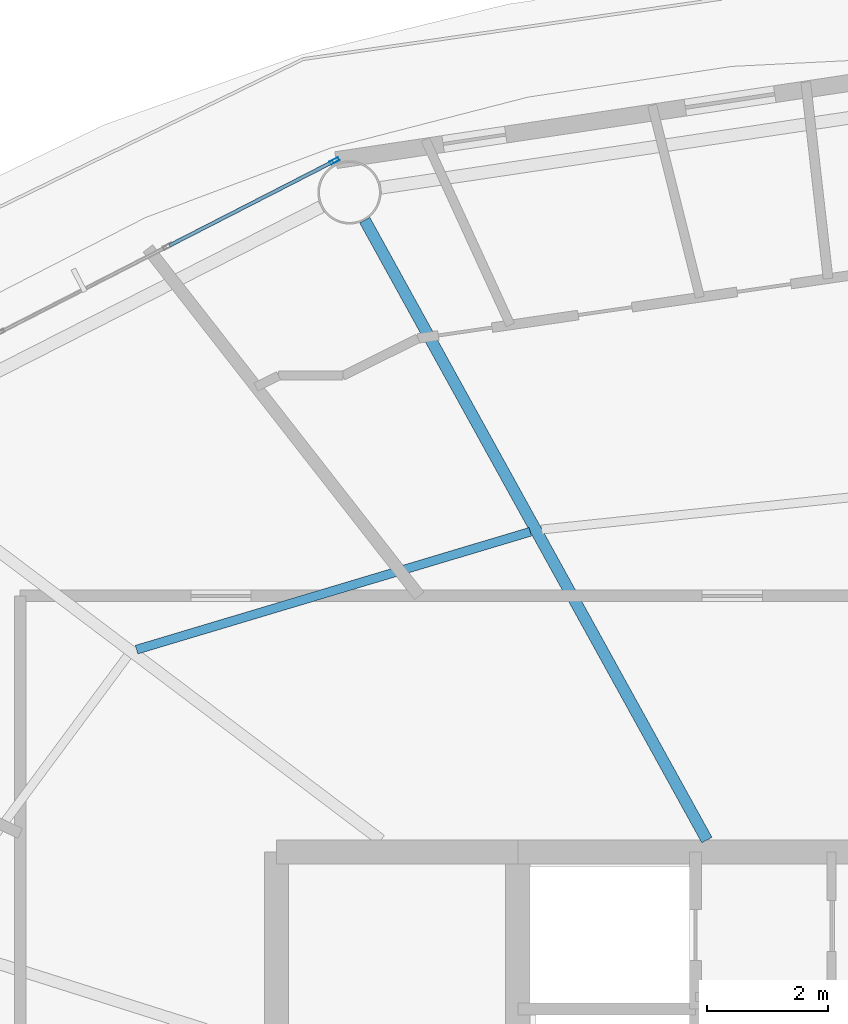
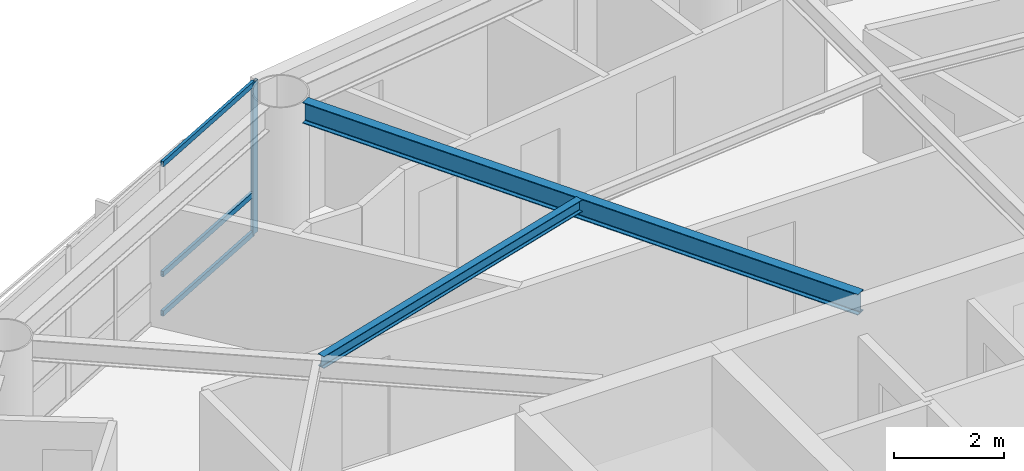
# One storey, part 9 of 23: 4 members, 2 beams, 1 element without a shape of its own.
"""IFC4 building model written with IfcOpenShell, lengths in metres."""

import ifcopenshell
import ifcopenshell.guid

model = None  # the IFC model being written
_history = None  # IfcOwnerHistory: only IFC2X3 demands one
_inside = {}  # id of a spatial element -> (the spatial element, [elements in it])
_under = {}  # id of a project, library or spatial element -> (it, [spatial elements below it])
_declared = {}  # id of a project -> (the project, [libraries it declares])
_typed = {}  # id of a type object -> (the type object, [elements of that type])
_made_of = {}  # id of a material, layer set ... -> (it, [elements and type objects made of it])


def new_model(schema):
    """Start an empty IFC model of exactly this schema.

    Asked for "IFC4X3", IfcOpenShell would pick the latest addendum, in which some entities
    have other attributes; the version numbers below select the first issue.
    IFC2X3 requires an IfcOwnerHistory on every rooted entity: one is made here for all.
    """
    global model, _history
    if schema == "IFC4X3":
        model = ifcopenshell.file(schema_version=(4, 3, 0, 0))
    else:
        model = ifcopenshell.file(schema=schema)
    _inside.clear()
    _under.clear()
    _declared.clear()
    _typed.clear()
    _made_of.clear()
    _history = None
    if model.schema == "IFC2X3":
        org = make("IfcOrganization", Name="unknown")
        user = make(
            "IfcPersonAndOrganization",
            ThePerson=make("IfcPerson", FamilyName="unknown"),
            TheOrganization=org,
        )
        app = make(
            "IfcApplication",
            ApplicationDeveloper=org,
            Version="unknown",
            ApplicationFullName="unknown",
            ApplicationIdentifier="unknown",
        )
        _history = make(
            "IfcOwnerHistory",
            OwningUser=user,
            OwningApplication=app,
            ChangeAction="ADDED",
            CreationDate=0,
        )
    return model


def make(cls, **values):
    """One entity of the class cls with the attributes given. An attribute that is None is left unset."""
    return model.create_entity(
        cls, **{name: value for name, value in values.items() if value is not None}
    )


def rooted(cls, **values):
    """An entity with a GlobalId (a new one), such as an element, a storey or a relation."""
    return make(cls, GlobalId=ifcopenshell.guid.new(), OwnerHistory=_history, **values)


def si_unit(unit_type, name, prefix=None):
    """IfcSIUnit, for example si_unit("LENGTHUNIT", "METRE", prefix="MILLI")."""
    return make("IfcSIUnit", UnitType=unit_type, Prefix=prefix, Name=name)


def assignment(units):
    """IfcUnitAssignment: the units of a project."""
    return None if units is None else make("IfcUnitAssignment", Units=units)


def point(xyz):
    """IfcCartesianPoint."""
    return None if xyz is None else make("IfcCartesianPoint", Coordinates=xyz)


def direction(xyz):
    """IfcDirection."""
    return None if xyz is None else make("IfcDirection", DirectionRatios=xyz)


def frame(location, z_axis=None, x_axis=None):
    """IfcAxis2Placement3D, a coordinate frame: its origin and axes. An axis left out is left unset."""
    return make(
        "IfcAxis2Placement3D",
        Location=point(location),
        Axis=direction(z_axis),
        RefDirection=direction(x_axis),
    )


def frame_2d(location, x_axis=None):
    """IfcAxis2Placement2D, a coordinate frame in the plane: its origin and x axis."""
    return make(
        "IfcAxis2Placement2D", Location=point(location), RefDirection=direction(x_axis)
    )


def origin():
    """The frame at (0, 0, 0) with its axes left unset."""
    return frame((0.0, 0.0, 0.0))


def origin_2d():
    """The frame at (0, 0) in the plane with its x axis left unset."""
    return frame_2d((0.0, 0.0))


def place(relative_to, where):
    """IfcLocalPlacement: puts the frame where relative to a parent placement (None: the world)."""
    return make(
        "IfcLocalPlacement", PlacementRelTo=relative_to, RelativePlacement=where
    )


def context(
    kind, dimensions, precision=None, world=None, true_north=None, identifier=None
):
    """IfcGeometricRepresentationContext, for example the 3D "Model" context."""
    return make(
        "IfcGeometricRepresentationContext",
        ContextIdentifier=identifier,
        ContextType=kind,
        CoordinateSpaceDimension=dimensions,
        Precision=precision,
        WorldCoordinateSystem=world,
        TrueNorth=true_north,
    )


def subcontext(parent, identifier, kind, view, scale=None):
    """IfcGeometricRepresentationSubContext, for example "Body" below "Model"."""
    return make(
        "IfcGeometricRepresentationSubContext",
        ContextIdentifier=identifier,
        ContextType=kind,
        ParentContext=parent,
        TargetScale=scale,
        TargetView=view,
    )


def project(units=None, contexts=None):
    """IfcProject with its units and contexts."""
    return rooted(
        "IfcProject",
        Name="project",
        RepresentationContexts=contexts,
        UnitsInContext=assignment(units),
    )


def spatial(cls, under=None, at=None, **own):
    """A site, building, storey or space (cls), placed at a placement, below another one or the project."""
    s = rooted(cls, ObjectPlacement=at, **own)
    if under is not None:
        _under.setdefault(under.id(), (under, []))[1].append(s)
    return s


def profile(cls, at=None, kind="AREA", **sizes):
    """A parametric profile (cls). Its sizes go by their IFC names, for example OverallWidth=200.0."""
    return make(cls, ProfileType=kind, Position=at, **sizes)


def hollow_rectangle(**sizes):
    """IfcRectangleHollowProfileDef."""
    return profile("IfcRectangleHollowProfileDef", **sizes)


def i_section(**sizes):
    """IfcIShapeProfileDef."""
    return profile("IfcIShapeProfileDef", **sizes)


def extrude(swept, where, along, depth):
    """IfcExtrudedAreaSolid: the profile swept, set in the frame where, extruded along a direction by depth."""
    return make(
        "IfcExtrudedAreaSolid",
        SweptArea=swept,
        Position=where,
        ExtrudedDirection=direction(along),
        Depth=depth,
    )


def shape(context_of_items, identifier, shape_type, items):
    """IfcShapeRepresentation: the items that make up one representation, for example the "Body"."""
    return make(
        "IfcShapeRepresentation",
        ContextOfItems=context_of_items,
        RepresentationIdentifier=identifier,
        RepresentationType=shape_type,
        Items=items,
    )


def material(Name=None, Category=None):
    """IfcMaterial."""
    return make("IfcMaterial", Name=Name, Category=Category)


def layer(
    of_material, thickness, ventilated=None, Name=None, Category=None, Priority=None
):
    """IfcMaterialLayer: one layer of a wall or slab, of a material (None: an air gap)."""
    return make(
        "IfcMaterialLayer",
        Material=of_material,
        LayerThickness=thickness,
        IsVentilated=ventilated,
        Name=Name,
        Category=Category,
        Priority=Priority,
    )


def layer_set(layers, Name=None):
    """IfcMaterialLayerSet."""
    return make("IfcMaterialLayerSet", MaterialLayers=layers, LayerSetName=Name)


def material_profile(
    of_material, cross_section, Name=None, Category=None, Priority=None
):
    """IfcMaterialProfile: a cross section and its material."""
    return make(
        "IfcMaterialProfile",
        Name=Name,
        Material=of_material,
        Profile=cross_section,
        Priority=Priority,
        Category=Category,
    )


def profile_set(profiles, Name=None, composite=None):
    """IfcMaterialProfileSet."""
    return make(
        "IfcMaterialProfileSet",
        Name=Name,
        MaterialProfiles=profiles,
        CompositeProfile=composite,
    )


def made_of(thing, what):
    """Note that an element or type object is made of a material, layer set ...; save() writes the relation."""
    if what is not None:
        _made_of.setdefault(what.id(), (what, []))[1].append(thing)
    return thing


def type_object(cls, material=None, **own):
    """A type object (cls), such as IfcWallType, which elements share."""
    return made_of(rooted(cls, **own), material)


def element(
    cls,
    number,
    at=None,
    inside=None,
    cuts=None,
    type_object=None,
    material=None,
    context=None,
    identifier="Body",
    shape_type=None,
    held_by="IfcProductDefinitionShape",
    body=None,
    shapes=None,
    **own,
):
    """One element of the class cls, such as IfcWall. Its Tag is "e" and its number.

    at: its placement. inside: the storey or other place that contains it. cuts: it is an
    opening in that element (IfcRelVoidsElement). A single representation is given by context,
    identifier, shape_type and body (its items); several are given by shapes. held_by: the class
    of the entity that holds the representations. save() writes the other relations.
    """
    e = rooted(cls, Tag="e%d" % number, ObjectPlacement=at, **own)
    if body is not None:
        shapes = [shape(context, identifier, shape_type, body)]
    if shapes is not None:
        e.Representation = make(held_by, Representations=shapes)
    if inside is not None:
        _inside.setdefault(inside.id(), (inside, []))[1].append(e)
    if cuts is not None:
        rooted(
            "IfcRelVoidsElement", RelatingBuildingElement=cuts, RelatedOpeningElement=e
        )
    if type_object is not None:
        _typed.setdefault(type_object.id(), (type_object, []))[1].append(e)
    return made_of(e, material)


def aggregate(whole, parts):
    """IfcRelAggregates: a whole, such as a stair, and the parts it consists of."""
    return rooted("IfcRelAggregates", RelatingObject=whole, RelatedObjects=parts)


def save(model, path):
    """Write the relations noted so far, then the file.

    IfcRelAggregates (storeys below a building ...), IfcRelContainedInSpatialStructure (elements
    in a storey), IfcRelDefinesByType, IfcRelAssociatesMaterial and IfcRelDeclares: one each for
    every whole, place, type object, material and project.
    """
    for whole, parts in _under.values():
        aggregate(whole, parts)
    for where, things in _inside.values():
        rooted(
            "IfcRelContainedInSpatialStructure",
            RelatedElements=things,
            RelatingStructure=where,
        )
    for kind, things in _typed.values():
        rooted("IfcRelDefinesByType", RelatedObjects=things, RelatingType=kind)
    for what, things in _made_of.values():
        rooted("IfcRelAssociatesMaterial", RelatedObjects=things, RelatingMaterial=what)
    for by, libraries in _declared.values():
        rooted("IfcRelDeclares", RelatingContext=by, RelatedDefinitions=libraries)
    model.write(path)


model = new_model("IFC4")

# Units and contexts
model_context = context("Model", 3, precision=1e-05, world=origin(), true_north=direction((0.0, 1.0)))
body_context = subcontext(model_context, "Body", "Model", "MODEL_VIEW")
ifc_project = project(units=[si_unit("LENGTHUNIT", "METRE"), si_unit("AREAUNIT", "SQUARE_METRE"), si_unit("VOLUMEUNIT", "CUBIC_METRE"), si_unit("PLANEANGLEUNIT", "RADIAN"), si_unit("MASSUNIT", "GRAM", prefix="KILO")], contexts=[model_context])

# Site, building, storey
site_placement = place(None, origin())
site = spatial("IfcSite", under=ifc_project, at=site_placement, CompositionType="ELEMENT")
building_placement = place(site_placement, origin())
building = spatial("IfcBuilding", under=site, at=building_placement, Name="Sarneth Arch Tower", CompositionType="ELEMENT")
storey_placement = place(building_placement, frame((0.0, 0.0, 242.39990234375)))
storey = spatial("IfcBuildingStorey", under=building, at=storey_placement, Name="L62", CompositionType="ELEMENT", Elevation=242.39990234375)

# Beams
ifc_material_1 = material(Name="Steel S355", Category="steel")
ifc_material_profile_1 = material_profile(ifc_material_1, i_section(OverallWidth=0.14794921875, OverallDepth=0.26611328125, WebThickness=0.007568359375, FlangeThickness=0.012939453125, FilletRadius=0.012939453125, at=origin_2d()), Name="W250x44.8")
ifc_profile_set_1 = profile_set([ifc_material_profile_1], Name="Steel S355")
beam_type_1 = type_object("IfcBeamType", Name="BM-JOIST-250", PredefinedType="JOIST", material=ifc_profile_set_1)
beam_1_placement = place(storey_placement, frame((41.20751953125, 54.11181640625, 3.22705078125), z_axis=(-0.957984908347, -0.286818610589, 0.0), x_axis=(0.286818610589, -0.957984908347, 0.0)))
element("IfcBeam", 1, at=beam_1_placement, inside=storey, type_object=beam_type_1, Name="L62 Secondary floor joist 06", PredefinedType="JOIST", context=body_context, shape_type="SweptSolid", body=[
    extrude(i_section(OverallWidth=0.14794921875, OverallDepth=0.26611328125, WebThickness=0.007568359375, FlangeThickness=0.012939453125, FilletRadius=0.012939453125, at=origin_2d()), origin(), (0.0, 0.0, 1.0), 6.81396484375),
])
ifc_material_2 = material(Name="Steel S355", Category="steel")
ifc_material_profile_2 = material_profile(ifc_material_2, i_section(OverallWidth=0.19189453125, OverallDepth=0.462890625, WebThickness=0.010498046875, FlangeThickness=0.017578125, FilletRadius=0.01806640625, at=origin_2d()), Name="W460x89")
ifc_profile_set_2 = profile_set([ifc_material_profile_2], Name="Steel S355")
beam_type_2 = type_object("IfcBeamType", Name="BM-RAD-460B", PredefinedType="BEAM", material=ifc_profile_set_2)
beam_2_placement = place(storey_placement, frame((44.13623046875, 49.0, 3.128662109375), z_axis=(-0.483225760768, 0.875495781903, 0.0), x_axis=(-0.875495781903, -0.483225760768, 0.0)))
element("IfcBeam", 2, at=beam_2_placement, inside=storey, type_object=beam_type_2, Name="L62 Radial floor girder 06", PredefinedType="BEAM", context=body_context, shape_type="SweptSolid", body=[
    extrude(i_section(OverallWidth=0.19189453125, OverallDepth=0.462890625, WebThickness=0.010498046875, FlangeThickness=0.017578125, FilletRadius=0.01806640625, at=origin_2d()), origin(), (0.0, 0.0, 1.0), 11.740478515625),
])

# Curtain wall, members
ifc_material_3 = material(Name="Anodised aluminium Type AA25 and solar-control low-e laminated IGU", Category="aluminium")
ifc_layer = layer(ifc_material_3, 0.179931640625)
ifc_layer_set = layer_set([ifc_layer], Name="Anodised aluminium Type AA25 and solar-control low-e laminated IGU")
curtain_wall_type = type_object("IfcCurtainWallType", Name="CW-RES-HIGH", PredefinedType="NOTDEFINED", material=ifc_layer_set)
curtain_wall_placement = place(storey_placement, origin())
curtain_wall = element("IfcCurtainWall", 3, at=curtain_wall_placement, inside=storey, type_object=curtain_wall_type, Name="L62 Unitised curtain wall facet 06", PredefinedType="NOTDEFINED")
ifc_material_4 = material(Name="Anodised Aluminium 6063-T6", Category="aluminium")
ifc_material_profile_3 = material_profile(ifc_material_4, hollow_rectangle(XDim=0.06005859375, YDim=0.159912109375, WallThickness=0.00390625, at=origin_2d()), Name="AL-MULL-160x60x4")
ifc_profile_set_3 = profile_set([ifc_material_profile_3], Name="Anodised Aluminium 6063-T6")
member_type_1 = type_object("IfcMemberType", Name="CW-MULLION", PredefinedType="MULLION", material=ifc_profile_set_3)
member_1_placement = place(storey_placement, frame((37.960693359375, 60.2607421875, 0.0), z_axis=(0.0, 0.0, 1.0), x_axis=(0.455941901753, -0.890009540525, 0.0)))
member_1 = element("IfcMember", 4, at=member_1_placement, type_object=member_type_1, Name="CW-SYS-6 mullion 1", PredefinedType="MULLION", context=body_context, shape_type="SweptSolid", body=[
    extrude(hollow_rectangle(XDim=0.06005859375, YDim=0.159912109375, WallThickness=0.00390625, at=origin_2d()), origin(), (0.0, 0.0, 1.0), 3.360107421875),
])
ifc_material_5 = material(Name="Anodised Aluminium 6063-T6", Category="aluminium")
ifc_material_profile_4 = material_profile(ifc_material_5, hollow_rectangle(XDim=0.06005859375, YDim=0.1201171875, WallThickness=0.00390625, at=origin_2d()), Name="AL-TRAN-120x60x4")
ifc_profile_set_4 = profile_set([ifc_material_profile_4], Name="Anodised Aluminium 6063-T6")
member_type_2 = type_object("IfcMemberType", Name="CW-TRANSOM", PredefinedType="USERDEFINED", material=ifc_profile_set_4)
member_2_placement = place(storey_placement, frame((37.933837890625, 60.2470703125, 0.030029296875), z_axis=(-0.889973523166, -0.456012201662, 0.0), x_axis=(0.456012201662, -0.889973523166, 0.0)))
member_2 = element("IfcMember", 5, at=member_2_placement, type_object=member_type_2, Name="CW-SYS-6 transom 1.1", ObjectType="TRANSOM", PredefinedType="USERDEFINED", context=body_context, shape_type="SweptSolid", body=[
    extrude(hollow_rectangle(XDim=0.06005859375, YDim=0.1201171875, WallThickness=0.00390625, at=origin_2d()), origin(), (0.0, 0.0, 1.0), 3.044677734375),
])
member_3_placement = place(storey_placement, frame((37.933837890625, 60.2470703125, 0.900146484375), z_axis=(-0.889973523166, -0.456012201662, 0.0), x_axis=(0.456012201662, -0.889973523166, 0.0)))
member_3 = element("IfcMember", 6, at=member_3_placement, type_object=member_type_2, Name="CW-SYS-6 transom 1.2", ObjectType="TRANSOM", PredefinedType="USERDEFINED", context=body_context, shape_type="SweptSolid", body=[
    extrude(hollow_rectangle(XDim=0.06005859375, YDim=0.1201171875, WallThickness=0.00390625, at=origin_2d()), origin(), (0.0, 0.0, 1.0), 3.044677734375),
])
member_4_placement = place(storey_placement, frame((37.933837890625, 60.2470703125, 3.330078125), z_axis=(-0.889973523166, -0.456012201662, 0.0), x_axis=(0.456012201662, -0.889973523166, 0.0)))
member_4 = element("IfcMember", 7, at=member_4_placement, type_object=member_type_2, Name="CW-SYS-6 transom 1.3", ObjectType="TRANSOM", PredefinedType="USERDEFINED", context=body_context, shape_type="SweptSolid", body=[
    extrude(hollow_rectangle(XDim=0.06005859375, YDim=0.1201171875, WallThickness=0.00390625, at=origin_2d()), origin(), (0.0, 0.0, 1.0), 3.044677734375),
])
aggregate(curtain_wall, [member_1, member_2, member_3, member_4])

save(model, "model.ifc")
